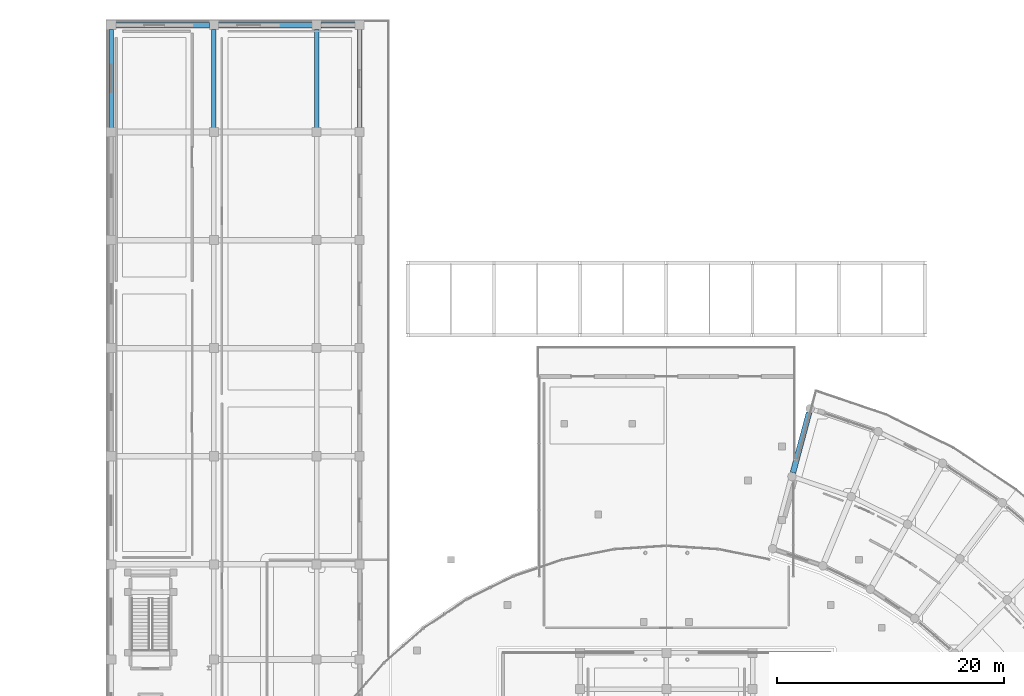
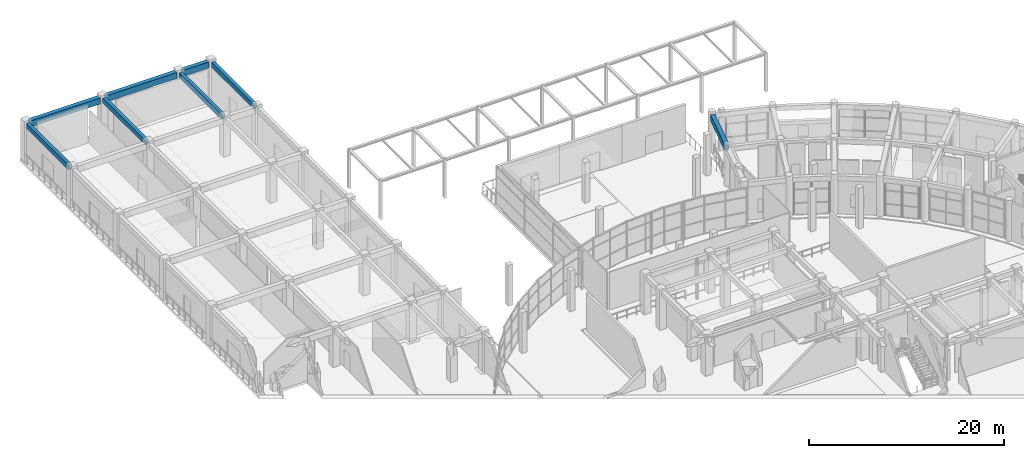
# One storey, part 52 of 99: 8 beams.
"""IFC4 building model written with IfcOpenShell, lengths in metres."""

import ifcopenshell
import ifcopenshell.guid

model = None  # the IFC model being written
_history = None  # IfcOwnerHistory: only IFC2X3 demands one
_inside = {}  # id of a spatial element -> (the spatial element, [elements in it])
_under = {}  # id of a project, library or spatial element -> (it, [spatial elements below it])
_declared = {}  # id of a project -> (the project, [libraries it declares])
_typed = {}  # id of a type object -> (the type object, [elements of that type])
_made_of = {}  # id of a material, layer set ... -> (it, [elements and type objects made of it])


def new_model(schema):
    """Start an empty IFC model of exactly this schema.

    Asked for "IFC4X3", IfcOpenShell would pick the latest addendum, in which some entities
    have other attributes; the version numbers below select the first issue.
    IFC2X3 requires an IfcOwnerHistory on every rooted entity: one is made here for all.
    """
    global model, _history
    if schema == "IFC4X3":
        model = ifcopenshell.file(schema_version=(4, 3, 0, 0))
    else:
        model = ifcopenshell.file(schema=schema)
    _inside.clear()
    _under.clear()
    _declared.clear()
    _typed.clear()
    _made_of.clear()
    _history = None
    if model.schema == "IFC2X3":
        org = make("IfcOrganization", Name="unknown")
        user = make(
            "IfcPersonAndOrganization",
            ThePerson=make("IfcPerson", FamilyName="unknown"),
            TheOrganization=org,
        )
        app = make(
            "IfcApplication",
            ApplicationDeveloper=org,
            Version="unknown",
            ApplicationFullName="unknown",
            ApplicationIdentifier="unknown",
        )
        _history = make(
            "IfcOwnerHistory",
            OwningUser=user,
            OwningApplication=app,
            ChangeAction="ADDED",
            CreationDate=0,
        )
    return model


def make(cls, **values):
    """One entity of the class cls with the attributes given. An attribute that is None is left unset."""
    return model.create_entity(
        cls, **{name: value for name, value in values.items() if value is not None}
    )


def rooted(cls, **values):
    """An entity with a GlobalId (a new one), such as an element, a storey or a relation."""
    return make(cls, GlobalId=ifcopenshell.guid.new(), OwnerHistory=_history, **values)


def si_unit(unit_type, name, prefix=None):
    """IfcSIUnit, for example si_unit("LENGTHUNIT", "METRE", prefix="MILLI")."""
    return make("IfcSIUnit", UnitType=unit_type, Prefix=prefix, Name=name)


def assignment(units):
    """IfcUnitAssignment: the units of a project."""
    return None if units is None else make("IfcUnitAssignment", Units=units)


def point(xyz):
    """IfcCartesianPoint."""
    return None if xyz is None else make("IfcCartesianPoint", Coordinates=xyz)


def direction(xyz):
    """IfcDirection."""
    return None if xyz is None else make("IfcDirection", DirectionRatios=xyz)


def frame(location, z_axis=None, x_axis=None):
    """IfcAxis2Placement3D, a coordinate frame: its origin and axes. An axis left out is left unset."""
    return make(
        "IfcAxis2Placement3D",
        Location=point(location),
        Axis=direction(z_axis),
        RefDirection=direction(x_axis),
    )


def frame_2d(location, x_axis=None):
    """IfcAxis2Placement2D, a coordinate frame in the plane: its origin and x axis."""
    return make(
        "IfcAxis2Placement2D", Location=point(location), RefDirection=direction(x_axis)
    )


def origin():
    """The frame at (0, 0, 0) with its axes left unset."""
    return frame((0.0, 0.0, 0.0))


def origin_2d():
    """The frame at (0, 0) in the plane with its x axis left unset."""
    return frame_2d((0.0, 0.0))


def place(relative_to, where):
    """IfcLocalPlacement: puts the frame where relative to a parent placement (None: the world)."""
    return make(
        "IfcLocalPlacement", PlacementRelTo=relative_to, RelativePlacement=where
    )


def context(
    kind, dimensions, precision=None, world=None, true_north=None, identifier=None
):
    """IfcGeometricRepresentationContext, for example the 3D "Model" context."""
    return make(
        "IfcGeometricRepresentationContext",
        ContextIdentifier=identifier,
        ContextType=kind,
        CoordinateSpaceDimension=dimensions,
        Precision=precision,
        WorldCoordinateSystem=world,
        TrueNorth=true_north,
    )


def subcontext(parent, identifier, kind, view, scale=None):
    """IfcGeometricRepresentationSubContext, for example "Body" below "Model"."""
    return make(
        "IfcGeometricRepresentationSubContext",
        ContextIdentifier=identifier,
        ContextType=kind,
        ParentContext=parent,
        TargetScale=scale,
        TargetView=view,
    )


def project(units=None, contexts=None):
    """IfcProject with its units and contexts."""
    return rooted(
        "IfcProject",
        Name="project",
        RepresentationContexts=contexts,
        UnitsInContext=assignment(units),
    )


def spatial(cls, under=None, at=None, **own):
    """A site, building, storey or space (cls), placed at a placement, below another one or the project."""
    s = rooted(cls, ObjectPlacement=at, **own)
    if under is not None:
        _under.setdefault(under.id(), (under, []))[1].append(s)
    return s


def profile(cls, at=None, kind="AREA", **sizes):
    """A parametric profile (cls). Its sizes go by their IFC names, for example OverallWidth=200.0."""
    return make(cls, ProfileType=kind, Position=at, **sizes)


def rectangle(**sizes):
    """IfcRectangleProfileDef."""
    return profile("IfcRectangleProfileDef", **sizes)


def extrude(swept, where, along, depth):
    """IfcExtrudedAreaSolid: the profile swept, set in the frame where, extruded along a direction by depth."""
    return make(
        "IfcExtrudedAreaSolid",
        SweptArea=swept,
        Position=where,
        ExtrudedDirection=direction(along),
        Depth=depth,
    )


def shape(context_of_items, identifier, shape_type, items):
    """IfcShapeRepresentation: the items that make up one representation, for example the "Body"."""
    return make(
        "IfcShapeRepresentation",
        ContextOfItems=context_of_items,
        RepresentationIdentifier=identifier,
        RepresentationType=shape_type,
        Items=items,
    )


def material(Name=None, Category=None):
    """IfcMaterial."""
    return make("IfcMaterial", Name=Name, Category=Category)


def material_profile(
    of_material, cross_section, Name=None, Category=None, Priority=None
):
    """IfcMaterialProfile: a cross section and its material."""
    return make(
        "IfcMaterialProfile",
        Name=Name,
        Material=of_material,
        Profile=cross_section,
        Priority=Priority,
        Category=Category,
    )


def profile_set(profiles, Name=None, composite=None):
    """IfcMaterialProfileSet."""
    return make(
        "IfcMaterialProfileSet",
        Name=Name,
        MaterialProfiles=profiles,
        CompositeProfile=composite,
    )


def made_of(thing, what):
    """Note that an element or type object is made of a material, layer set ...; save() writes the relation."""
    if what is not None:
        _made_of.setdefault(what.id(), (what, []))[1].append(thing)
    return thing


def type_object(cls, material=None, **own):
    """A type object (cls), such as IfcWallType, which elements share."""
    return made_of(rooted(cls, **own), material)


def element(
    cls,
    number,
    at=None,
    inside=None,
    cuts=None,
    type_object=None,
    material=None,
    context=None,
    identifier="Body",
    shape_type=None,
    held_by="IfcProductDefinitionShape",
    body=None,
    shapes=None,
    **own,
):
    """One element of the class cls, such as IfcWall. Its Tag is "e" and its number.

    at: its placement. inside: the storey or other place that contains it. cuts: it is an
    opening in that element (IfcRelVoidsElement). A single representation is given by context,
    identifier, shape_type and body (its items); several are given by shapes. held_by: the class
    of the entity that holds the representations. save() writes the other relations.
    """
    e = rooted(cls, Tag="e%d" % number, ObjectPlacement=at, **own)
    if body is not None:
        shapes = [shape(context, identifier, shape_type, body)]
    if shapes is not None:
        e.Representation = make(held_by, Representations=shapes)
    if inside is not None:
        _inside.setdefault(inside.id(), (inside, []))[1].append(e)
    if cuts is not None:
        rooted(
            "IfcRelVoidsElement", RelatingBuildingElement=cuts, RelatedOpeningElement=e
        )
    if type_object is not None:
        _typed.setdefault(type_object.id(), (type_object, []))[1].append(e)
    return made_of(e, material)


def aggregate(whole, parts):
    """IfcRelAggregates: a whole, such as a stair, and the parts it consists of."""
    return rooted("IfcRelAggregates", RelatingObject=whole, RelatedObjects=parts)


def save(model, path):
    """Write the relations noted so far, then the file.

    IfcRelAggregates (storeys below a building ...), IfcRelContainedInSpatialStructure (elements
    in a storey), IfcRelDefinesByType, IfcRelAssociatesMaterial and IfcRelDeclares: one each for
    every whole, place, type object, material and project.
    """
    for whole, parts in _under.values():
        aggregate(whole, parts)
    for where, things in _inside.values():
        rooted(
            "IfcRelContainedInSpatialStructure",
            RelatedElements=things,
            RelatingStructure=where,
        )
    for kind, things in _typed.values():
        rooted("IfcRelDefinesByType", RelatedObjects=things, RelatingType=kind)
    for what, things in _made_of.values():
        rooted("IfcRelAssociatesMaterial", RelatedObjects=things, RelatingMaterial=what)
    for by, libraries in _declared.values():
        rooted("IfcRelDeclares", RelatingContext=by, RelatedDefinitions=libraries)
    model.write(path)


model = new_model("IFC4")

# Units and contexts
model_context = context("Model", 3, precision=1e-05, world=origin(), true_north=direction((0.0, 1.0)))
body_context = subcontext(model_context, "Body", "Model", "MODEL_VIEW")
ifc_project = project(units=[si_unit("LENGTHUNIT", "METRE"), si_unit("AREAUNIT", "SQUARE_METRE"), si_unit("VOLUMEUNIT", "CUBIC_METRE"), si_unit("PLANEANGLEUNIT", "RADIAN"), si_unit("MASSUNIT", "GRAM", prefix="KILO")], contexts=[model_context])

# Site, building, storey
site_placement = place(None, origin())
site = spatial("IfcSite", under=ifc_project, at=site_placement, CompositionType="ELEMENT")
building_placement = place(site_placement, origin())
building = spatial("IfcBuilding", under=site, at=building_placement, Name="Saryqyr Civic Hall", CompositionType="ELEMENT")
storey_placement = place(building_placement, origin())
storey = spatial("IfcBuildingStorey", under=building, at=storey_placement, Name="L00", CompositionType="ELEMENT", Elevation=0.0)

# Beams
ifc_material_1 = material(Name="Concrete C35/45", Category="concrete")
ifc_material_profile_1 = material_profile(ifc_material_1, rectangle(XDim=0.39990234375, YDim=0.60009765625, at=origin_2d()), Name="RC 400x600")
ifc_profile_set_1 = profile_set([ifc_material_profile_1], Name="Concrete C35/45")
beam_type_1 = type_object("IfcBeamType", Name="STR-BM-RC400x600", PredefinedType="BEAM", material=ifc_profile_set_1)
for number, where, z_axis, x_axis, name in (
    (1, (8.050048828125, 156.094970703125, 4.52001953125), (0.0, 1.0, 0.0), (-1.0, 0.0, 0.0), "Beam V3-BM-NS-1-7-L00"),
    (2, (17.10009765625, 156.094970703125, 4.52001953125), (0.0, 1.0, 0.0), (-1.0, 0.0, 0.0), "Beam V3-BM-NS-2-7-L00"),
    (3, (26.14990234375, 156.094970703125, 4.52001953125), (0.0, 1.0, 0.0), (-1.0, 0.0, 0.0), "Beam V3-BM-NS-3-7-L00"),
    (4, (29.949951171875, 156.094970703125, 4.52001953125), (0.0, 1.0, 0.0), (-1.0, 0.0, 0.0), "Beam V3-BM-NS-4-7-L00"),
):
    element("IfcBeam", number, at=place(storey_placement, frame(where, z_axis=z_axis, x_axis=x_axis)), inside=storey, type_object=beam_type_1, Name=name, PredefinedType="BEAM", context=body_context, shape_type="SweptSolid", body=[
        extrude(rectangle(XDim=0.39990234375, YDim=0.60009765625, at=origin_2d()), origin(), (0.0, 0.0, 1.0), 8.679931640625),
    ])
ifc_material_2 = material(Name="Concrete C40/50", Category="concrete")
ifc_material_profile_2 = material_profile(ifc_material_2, rectangle(XDim=0.5, YDim=0.75, at=origin_2d()), Name="RC 500x750")
ifc_profile_set_2 = profile_set([ifc_material_profile_2], Name="Concrete C40/50")
beam_type_2 = type_object("IfcBeamType", Name="STR-BM-RC500x750", PredefinedType="BEAM", material=ifc_profile_set_2)
beam_1_placement = place(storey_placement, frame((68.168212890625, 125.6796875, 4.445068359375), z_axis=(0.258795254151, 0.965932200741, 0.0), x_axis=(-0.965932200741, 0.258795254151, 0.0)))
element("IfcBeam", 5, at=beam_1_placement, inside=storey, type_object=beam_type_2, Name="Beam V6-RBM-B10-L00", PredefinedType="BEAM", context=body_context, shape_type="SweptSolid", body=[
    extrude(rectangle(XDim=0.5, YDim=0.75, at=origin_2d()), origin(), (0.0, 0.0, 1.0), 5.499755859375),
])
beam_2_placement = place(storey_placement, frame((8.425048828125, 165.14990234375, 4.445068359375), z_axis=(1.0, 0.0, 0.0), x_axis=(0.0, 1.0, 0.0)))
element("IfcBeam", 6, at=beam_2_placement, inside=storey, type_object=beam_type_2, Name="Beam V3-BM-EW-8-1-L00", PredefinedType="BEAM", context=body_context, shape_type="SweptSolid", body=[
    extrude(rectangle(XDim=0.5, YDim=0.75, at=origin_2d()), origin(), (0.0, 0.0, 1.0), 8.300048828125),
])
beam_3_placement = place(storey_placement, frame((17.47509765625, 165.14990234375, 4.445068359375), z_axis=(1.0, 0.0, 0.0), x_axis=(0.0, 1.0, 0.0)))
element("IfcBeam", 7, at=beam_3_placement, inside=storey, type_object=beam_type_2, Name="Beam V3-BM-EW-8-2-L00", PredefinedType="BEAM", context=body_context, shape_type="SweptSolid", body=[
    extrude(rectangle(XDim=0.5, YDim=0.75, at=origin_2d()), origin(), (0.0, 0.0, 1.0), 8.2998046875),
])
beam_4_placement = place(storey_placement, frame((26.52490234375, 165.14990234375, 4.445068359375), z_axis=(1.0, 0.0, 0.0), x_axis=(0.0, 1.0, 0.0)))
element("IfcBeam", 8, at=beam_4_placement, inside=storey, type_object=beam_type_2, Name="Beam V3-BM-EW-8-3-L00", PredefinedType="BEAM", context=body_context, shape_type="SweptSolid", body=[
    extrude(rectangle(XDim=0.5, YDim=0.75, at=origin_2d()), origin(), (0.0, 0.0, 1.0), 3.050048828125),
])

save(model, "model.ifc")
